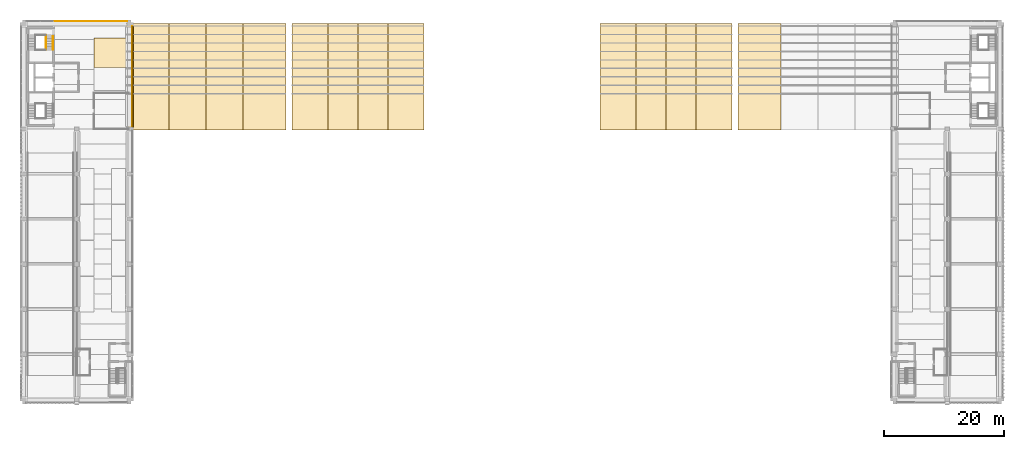
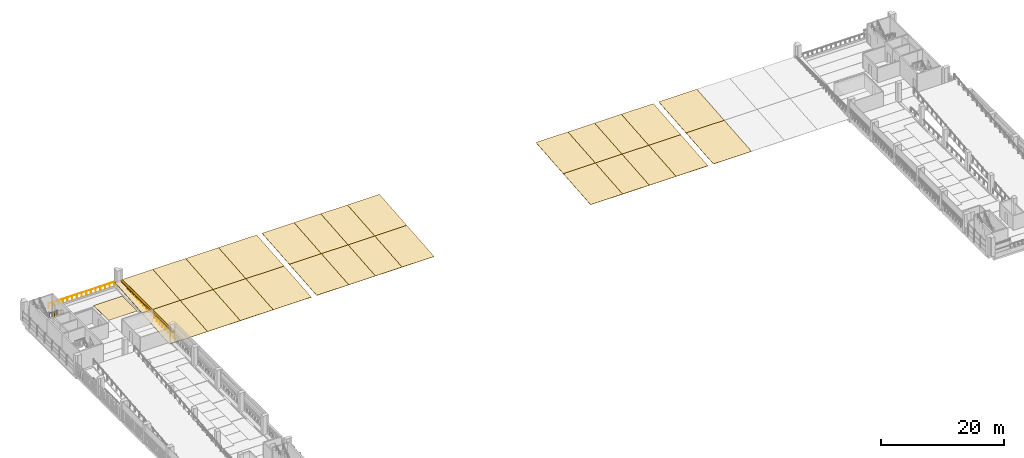
# One storey, part 18 of 24: 27 coverings, 4 railings, 3 shading devices, 4 elements without a shape of their own.
"""IFC4 building model written with IfcOpenShell, lengths in metres."""

from ifc_helpers import new_model, si_unit, direction, frame, origin, origin_2d, place, context, subcontext, project, spatial, polyline, circle, outline, extrude, material, layer, layer_set, type_object, element, aggregate, save


model = new_model("IFC4")

# Units and contexts
model_context = context("Model", 3, precision=1e-05, world=origin(), true_north=direction((0.0, 1.0)))
body_context = subcontext(model_context, "Body", "Model", "MODEL_VIEW")
ifc_project = project(units=[si_unit("LENGTHUNIT", "METRE"), si_unit("AREAUNIT", "SQUARE_METRE"), si_unit("VOLUMEUNIT", "CUBIC_METRE"), si_unit("PLANEANGLEUNIT", "RADIAN"), si_unit("MASSUNIT", "GRAM", prefix="KILO")], contexts=[model_context])

# Site, building, storey
site_placement = place(None, origin())
site = spatial("IfcSite", under=ifc_project, at=site_placement, CompositionType="ELEMENT")
building_placement = place(site_placement, origin())
building = spatial("IfcBuilding", under=site, at=building_placement, Name="Cour d'Honneur Mobility Palace", CompositionType="ELEMENT")
storey_placement = place(building_placement, frame((0.0, 0.0, 26.699951171875)))
storey = spatial("IfcBuildingStorey", under=building, at=storey_placement, Name="L07", CompositionType="ELEMENT", Elevation=26.699951171875)

# Covering
ifc_material_1 = material(Name="Accessible bay marking paint")
ifc_layer_1 = layer(ifc_material_1, 0.0048828125)
ifc_layer_set_1 = layer_set([ifc_layer_1], Name="Accessible bay marking paint")
covering_type_1 = type_object("IfcCoveringType", Name="Accessible parking bay marking", PredefinedType="FLOORING", material=ifc_layer_set_1)
covering_1_placement = place(storey_placement, origin())
element("IfcCovering", 1, at=covering_1_placement, inside=storey, type_object=covering_type_1, Name="Accessible parking bay marking L07 2", PredefinedType="FLOORING", context=body_context, shape_type="SweptSolid", body=[
    extrude(outline(polyline([(11.550048828125, 60.14990234375), (16.949951171875, 60.14990234375), (16.949951171875, 55.25), (11.550048828125, 55.25), (11.550048828125, 60.14990234375)])), origin(), (0.0, 0.0, 1.0), 0.005126953125),
])

# Railings
ifc_material_2 = material(Name="Painted steel", Category="steel")
railing_type_1 = type_object("IfcRailingType", Name="Balustrade", PredefinedType="BALUSTRADE", material=ifc_material_2)
railing_1_placement = place(storey_placement, frame((17.949951171875, 45.300048828125, 0.300048828125)))
element("IfcRailing", 2, at=railing_1_placement, inside=storey, type_object=railing_type_1, Name="Balustrade BAL-372", PredefinedType="BALUSTRADE", context=body_context, shape_type="SweptSolid", body=[
    extrude(circle(Radius=0.02392578125, at=origin_2d()), frame((0.0, 0.0, 0.77587890625), z_axis=(0.0, 1.0, 0.0), x_axis=(-1.0, 0.0, 0.0)), (0.0, 0.0, 1.0), 16.800048828125),
    extrude(circle(Radius=0.02099609375, at=origin_2d()), origin(), (0.0, 0.0, 1.0), 0.751953125),
    extrude(circle(Radius=0.02099609375, at=origin_2d()), frame((0.0, 0.88427734375, 0.0)), (0.0, 0.0, 1.0), 0.751953125),
    extrude(circle(Radius=0.02099609375, at=origin_2d()), frame((0.0, 1.768310546875, 0.0)), (0.0, 0.0, 1.0), 0.751953125),
    extrude(circle(Radius=0.02099609375, at=origin_2d()), frame((0.0, 2.652587890625, 0.0)), (0.0, 0.0, 1.0), 0.751953125),
    extrude(circle(Radius=0.02099609375, at=origin_2d()), frame((0.0, 3.536865234375, 0.0)), (0.0, 0.0, 1.0), 0.751953125),
    extrude(circle(Radius=0.02099609375, at=origin_2d()), frame((0.0, 4.421142578125, 0.0)), (0.0, 0.0, 1.0), 0.751953125),
    extrude(circle(Radius=0.02099609375, at=origin_2d()), frame((0.0, 5.30517578125, 0.0)), (0.0, 0.0, 1.0), 0.751953125),
    extrude(circle(Radius=0.02099609375, at=origin_2d()), frame((0.0, 6.189453125, 0.0)), (0.0, 0.0, 1.0), 0.751953125),
    extrude(circle(Radius=0.02099609375, at=origin_2d()), frame((0.0, 7.07373046875, 0.0)), (0.0, 0.0, 1.0), 0.751953125),
    extrude(circle(Radius=0.02099609375, at=origin_2d()), frame((0.0, 7.9580078125, 0.0)), (0.0, 0.0, 1.0), 0.751953125),
    extrude(circle(Radius=0.02099609375, at=origin_2d()), frame((0.0, 8.842041015625, 0.0)), (0.0, 0.0, 1.0), 0.751953125),
    extrude(circle(Radius=0.02099609375, at=origin_2d()), frame((0.0, 9.726318359375, 0.0)), (0.0, 0.0, 1.0), 0.751953125),
    extrude(circle(Radius=0.02099609375, at=origin_2d()), frame((0.0, 10.610595703125, 0.0)), (0.0, 0.0, 1.0), 0.751953125),
    extrude(circle(Radius=0.02099609375, at=origin_2d()), frame((0.0, 11.494873046875, 0.0)), (0.0, 0.0, 1.0), 0.751953125),
    extrude(circle(Radius=0.02099609375, at=origin_2d()), frame((0.0, 12.37890625, 0.0)), (0.0, 0.0, 1.0), 0.751953125),
    extrude(circle(Radius=0.02099609375, at=origin_2d()), frame((0.0, 13.26318359375, 0.0)), (0.0, 0.0, 1.0), 0.751953125),
    extrude(circle(Radius=0.02099609375, at=origin_2d()), frame((0.0, 14.1474609375, 0.0)), (0.0, 0.0, 1.0), 0.751953125),
    extrude(circle(Radius=0.02099609375, at=origin_2d()), frame((0.0, 15.03173828125, 0.0)), (0.0, 0.0, 1.0), 0.751953125),
    extrude(circle(Radius=0.02099609375, at=origin_2d()), frame((0.0, 15.915771484375, 0.0)), (0.0, 0.0, 1.0), 0.751953125),
    extrude(circle(Radius=0.02099609375, at=origin_2d()), frame((0.0, 16.800048828125, 0.0)), (0.0, 0.0, 1.0), 0.751953125),
])
railing_2_placement = place(storey_placement, frame((17.10009765625, 62.949951171875, 0.300048828125)))
element("IfcRailing", 3, at=railing_2_placement, inside=storey, type_object=railing_type_1, Name="Balustrade BAL-373", PredefinedType="BALUSTRADE", context=body_context, shape_type="SweptSolid", body=[
    extrude(circle(Radius=0.02392578125, at=origin_2d()), frame((0.0, 0.0, 0.77587890625), z_axis=(-1.0, 0.0, 0.0), x_axis=(0.0, -1.0, 0.0)), (0.0, 0.0, 1.0), 12.300048828125),
    extrude(circle(Radius=0.02099609375, at=origin_2d()), origin(), (0.0, 0.0, 1.0), 0.751953125),
    extrude(circle(Radius=0.02099609375, at=origin_2d()), frame((-0.878662109375, 0.0, 0.0)), (0.0, 0.0, 1.0), 0.751953125),
    extrude(circle(Radius=0.02099609375, at=origin_2d()), frame((-1.757080078125, 0.0, 0.0)), (0.0, 0.0, 1.0), 0.751953125),
    extrude(circle(Radius=0.02099609375, at=origin_2d()), frame((-2.6357421875, 0.0, 0.0)), (0.0, 0.0, 1.0), 0.751953125),
    extrude(circle(Radius=0.02099609375, at=origin_2d()), frame((-3.514404296875, 0.0, 0.0)), (0.0, 0.0, 1.0), 0.751953125),
    extrude(circle(Radius=0.02099609375, at=origin_2d()), frame((-4.392822265625, 0.0, 0.0)), (0.0, 0.0, 1.0), 0.751953125),
    extrude(circle(Radius=0.02099609375, at=origin_2d()), frame((-5.271484375, 0.0, 0.0)), (0.0, 0.0, 1.0), 0.751953125),
    extrude(circle(Radius=0.02099609375, at=origin_2d()), frame((-6.14990234375, 0.0, 0.0)), (0.0, 0.0, 1.0), 0.751953125),
    extrude(circle(Radius=0.02099609375, at=origin_2d()), frame((-7.028564453125, 0.0, 0.0)), (0.0, 0.0, 1.0), 0.751953125),
    extrude(circle(Radius=0.02099609375, at=origin_2d()), frame((-7.9072265625, 0.0, 0.0)), (0.0, 0.0, 1.0), 0.751953125),
    extrude(circle(Radius=0.02099609375, at=origin_2d()), frame((-8.78564453125, 0.0, 0.0)), (0.0, 0.0, 1.0), 0.751953125),
    extrude(circle(Radius=0.02099609375, at=origin_2d()), frame((-9.664306640625, 0.0, 0.0)), (0.0, 0.0, 1.0), 0.751953125),
    extrude(circle(Radius=0.02099609375, at=origin_2d()), frame((-10.54296875, 0.0, 0.0)), (0.0, 0.0, 1.0), 0.751953125),
    extrude(circle(Radius=0.02099609375, at=origin_2d()), frame((-11.42138671875, 0.0, 0.0)), (0.0, 0.0, 1.0), 0.751953125),
    extrude(circle(Radius=0.02099609375, at=origin_2d()), frame((-12.300048828125, 0.0, 0.0)), (0.0, 0.0, 1.0), 0.751953125),
])
ifc_material_3 = material(Name="Stainless steel", Category="steel")
railing_type_2 = type_object("IfcRailingType", Name="Handrail round 50", PredefinedType="HANDRAIL", material=ifc_material_3)
railing_3_placement = place(storey_placement, frame((4.75, 60.39990234375, 0.33935546875)))
element("IfcRailing", 4, at=railing_3_placement, inside=storey, type_object=railing_type_2, Name="Handrail ST-CW2", PredefinedType="HANDRAIL", context=body_context, shape_type="SweptSolid", body=[
    extrude(circle(Radius=0.02490234375, at=origin_2d()), frame((0.0, 0.0, 0.89501953125), z_axis=(0.0, -0.824928428624, 0.565237195917), x_axis=(1.0, 0.0, 0.0)), (0.0, 0.0, 1.0), 2.6728515625),
    extrude(circle(Radius=0.02099609375, at=origin_2d()), origin(), (0.0, 0.0, 1.0), 0.869873046875),
    extrude(circle(Radius=0.02099609375, at=origin_2d()), frame((0.0, -0.73486328125, 0.503662109375)), (0.0, 0.0, 1.0), 0.869873046875),
    extrude(circle(Radius=0.02099609375, at=origin_2d()), frame((0.0, -1.469970703125, 1.007080078125)), (0.0, 0.0, 1.0), 0.869873046875),
    extrude(circle(Radius=0.02099609375, at=origin_2d()), frame((0.0, -2.204833984375, 1.5107421875)), (0.0, 0.0, 1.0), 0.869873046875),
])
railing_4_placement = place(storey_placement, frame((3.60009765625, 60.625, 0.18505859375)))
element("IfcRailing", 5, at=railing_4_placement, inside=storey, type_object=railing_type_2, Name="Handrail ST-CW2", PredefinedType="HANDRAIL", context=body_context, shape_type="SweptSolid", body=[
    extrude(circle(Radius=0.02490234375, at=origin_2d()), frame((0.0, 0.0, 0.89501953125), z_axis=(0.0, -0.8249187745, 0.56525128525), x_axis=(1.0, 0.0, 0.0)), (0.0, 0.0, 1.0), 2.945556640625),
    extrude(circle(Radius=0.02099609375, at=origin_2d()), origin(), (0.0, 0.0, 1.0), 0.869873046875),
    extrude(circle(Radius=0.02099609375, at=origin_2d()), frame((0.0, -0.81005859375, 0.554931640625)), (0.0, 0.0, 1.0), 0.869873046875),
    extrude(circle(Radius=0.02099609375, at=origin_2d()), frame((0.0, -1.619873046875, 1.110107421875)), (0.0, 0.0, 1.0), 0.869873046875),
    extrude(circle(Radius=0.02099609375, at=origin_2d()), frame((0.0, -2.429931640625, 1.6650390625)), (0.0, 0.0, 1.0), 0.869873046875),
])

# Roof, coverings
ifc_material_4 = material(Name="Zinc standing seam")
ifc_layer_2 = layer(ifc_material_4, 0.050048828125)
ifc_layer_set_2 = layer_set([ifc_layer_2], Name="Zinc standing seam")
roof_type = type_object("IfcRoofType", Name="Pavilion roof", PredefinedType="SHED_ROOF", material=ifc_layer_set_2)
roof_1_placement = place(storey_placement, origin())
roof_1 = element("IfcRoof", 6, at=roof_1_placement, inside=storey, type_object=roof_type, Name="Pavilion roof FW", PredefinedType="SHED_ROOF")
ifc_material_5 = material(Name="Zinc standing seam")
ifc_layer_3 = layer(ifc_material_5, 0.050048828125)
ifc_layer_set_3 = layer_set([ifc_layer_3], Name="Zinc standing seam")
covering_type_2 = type_object("IfcCoveringType", Name="Pavilion roof panel", PredefinedType="ROOFING", material=ifc_layer_set_3)
covering_2_placement = place(storey_placement, frame((16.89990234375, 44.824951171875, -0.2236328125), z_axis=(0.0, -0.087145193516, 0.996195620974), x_axis=(1.0, 0.0, 0.0)))
covering_2 = element("IfcCovering", 7, at=covering_2_placement, type_object=covering_type_2, Name="Pavilion roof panel FW-1", PredefinedType="ROOFING", context=body_context, shape_type="SweptSolid", body=[
    extrude(outline(polyline([(0.0, 0.0), (7.150146484375, 0.0), (7.150146484375, 8.908892804935228), (0.0, 8.908892804935228), (0.0, 0.0)])), origin(), (0.0, 0.0, -1.0), 0.050048828125),
])
covering_3_placement = place(storey_placement, frame((16.89990234375, 53.699951171875, 0.552734375), z_axis=(0.0, -0.087117997385, 0.996197999663), x_axis=(1.0, 0.0, 0.0)))
covering_3 = element("IfcCovering", 8, at=covering_3_placement, type_object=covering_type_2, Name="Pavilion roof panel FW-2", PredefinedType="ROOFING", context=body_context, shape_type="SweptSolid", body=[
    extrude(outline(polyline([(0.0, 0.0), (7.150146484375, 0.0), (7.150146484375, 8.908871532573054), (0.0, 8.908871532573054), (0.0, 0.0)])), origin(), (0.0, 0.0, -1.0), 0.050048828125),
])
covering_4_placement = place(storey_placement, frame((24.050048828125, 44.824951171875, -0.2236328125), z_axis=(0.0, -0.087145193516, 0.996195620974), x_axis=(1.0, 0.0, 0.0)))
covering_4 = element("IfcCovering", 9, at=covering_4_placement, type_object=covering_type_2, Name="Pavilion roof panel FW-3", PredefinedType="ROOFING", context=body_context, shape_type="SweptSolid", body=[
    extrude(outline(polyline([(0.0, 0.0), (6.14990234375, 0.0), (6.14990234375, 8.908892804935228), (0.0, 8.908892804935228), (0.0, 0.0)])), origin(), (0.0, 0.0, -1.0), 0.050048828125),
])
covering_5_placement = place(storey_placement, frame((24.050048828125, 53.699951171875, 0.552734375), z_axis=(0.0, -0.087117997385, 0.996197999663), x_axis=(1.0, 0.0, 0.0)))
covering_5 = element("IfcCovering", 10, at=covering_5_placement, type_object=covering_type_2, Name="Pavilion roof panel FW-4", PredefinedType="ROOFING", context=body_context, shape_type="SweptSolid", body=[
    extrude(outline(polyline([(0.0, 0.0), (6.14990234375, 0.0), (6.14990234375, 8.908871532573054), (0.0, 8.908871532573054), (0.0, 0.0)])), origin(), (0.0, 0.0, -1.0), 0.050048828125),
])
covering_6_placement = place(storey_placement, frame((30.199951171875, 44.824951171875, -0.2236328125), z_axis=(0.0, -0.087145193516, 0.996195620974), x_axis=(1.0, 0.0, 0.0)))
covering_6 = element("IfcCovering", 11, at=covering_6_placement, type_object=covering_type_2, Name="Pavilion roof panel FW-5", PredefinedType="ROOFING", context=body_context, shape_type="SweptSolid", body=[
    extrude(outline(polyline([(0.0, 0.0), (6.150146484375, 0.0), (6.150146484375, 8.908892804935228), (0.0, 8.908892804935228), (0.0, 0.0)])), origin(), (0.0, 0.0, -1.0), 0.050048828125),
])
covering_7_placement = place(storey_placement, frame((30.199951171875, 53.699951171875, 0.552734375), z_axis=(0.0, -0.087117997385, 0.996197999663), x_axis=(1.0, 0.0, 0.0)))
covering_7 = element("IfcCovering", 12, at=covering_7_placement, type_object=covering_type_2, Name="Pavilion roof panel FW-6", PredefinedType="ROOFING", context=body_context, shape_type="SweptSolid", body=[
    extrude(outline(polyline([(0.0, 0.0), (6.150146484375, 0.0), (6.150146484375, 8.908871532573054), (0.0, 8.908871532573054), (0.0, 0.0)])), origin(), (0.0, 0.0, -1.0), 0.050048828125),
])
covering_8_placement = place(storey_placement, frame((36.35009765625, 44.824951171875, -0.2236328125), z_axis=(0.0, -0.087145193516, 0.996195620974), x_axis=(1.0, 0.0, 0.0)))
covering_8 = element("IfcCovering", 13, at=covering_8_placement, type_object=covering_type_2, Name="Pavilion roof panel FW-7", PredefinedType="ROOFING", context=body_context, shape_type="SweptSolid", body=[
    extrude(outline(polyline([(0.0, 0.0), (7.14990234375, 0.0), (7.14990234375, 8.908892804935228), (0.0, 8.908892804935228), (0.0, 0.0)])), origin(), (0.0, 0.0, -1.0), 0.050048828125),
])
covering_9_placement = place(storey_placement, frame((36.35009765625, 53.699951171875, 0.552734375), z_axis=(0.0, -0.087117997385, 0.996197999663), x_axis=(1.0, 0.0, 0.0)))
covering_9 = element("IfcCovering", 14, at=covering_9_placement, type_object=covering_type_2, Name="Pavilion roof panel FW-8", PredefinedType="ROOFING", context=body_context, shape_type="SweptSolid", body=[
    extrude(outline(polyline([(0.0, 0.0), (7.14990234375, 0.0), (7.14990234375, 8.908871532573054), (0.0, 8.908871532573054), (0.0, 0.0)])), origin(), (0.0, 0.0, -1.0), 0.050048828125),
])
aggregate(roof_1, [covering_2, covering_3, covering_4, covering_5, covering_6, covering_7, covering_8, covering_9])

roof_2_placement = place(storey_placement, origin())
roof_2 = element("IfcRoof", 15, at=roof_2_placement, inside=storey, type_object=roof_type, Name="Pavilion roof PW", PredefinedType="SHED_ROOF")
covering_10_placement = place(storey_placement, frame((44.5, 44.824951171875, -0.2236328125), z_axis=(0.0, -0.087145193516, 0.996195620974), x_axis=(1.0, 0.0, 0.0)))
covering_10 = element("IfcCovering", 16, at=covering_10_placement, type_object=covering_type_2, Name="Pavilion roof panel PW-1", PredefinedType="ROOFING", context=body_context, shape_type="SweptSolid", body=[
    extrude(outline(polyline([(0.0, 0.0), (6.0, 0.0), (6.0, 8.908892804935228), (0.0, 8.908892804935228), (0.0, 0.0)])), origin(), (0.0, 0.0, -1.0), 0.050048828125),
])
covering_11_placement = place(storey_placement, frame((44.5, 53.699951171875, 0.552734375), z_axis=(0.0, -0.087117997385, 0.996197999663), x_axis=(1.0, 0.0, 0.0)))
covering_11 = element("IfcCovering", 17, at=covering_11_placement, type_object=covering_type_2, Name="Pavilion roof panel PW-2", PredefinedType="ROOFING", context=body_context, shape_type="SweptSolid", body=[
    extrude(outline(polyline([(0.0, 0.0), (6.0, 0.0), (6.0, 8.908871532573054), (0.0, 8.908871532573054), (0.0, 0.0)])), origin(), (0.0, 0.0, -1.0), 0.050048828125),
])
covering_12_placement = place(storey_placement, frame((50.5, 44.824951171875, -0.2236328125), z_axis=(0.0, -0.087145193516, 0.996195620974), x_axis=(1.0, 0.0, 0.0)))
covering_12 = element("IfcCovering", 18, at=covering_12_placement, type_object=covering_type_2, Name="Pavilion roof panel PW-3", PredefinedType="ROOFING", context=body_context, shape_type="SweptSolid", body=[
    extrude(outline(polyline([(0.0, 0.0), (5.0, 0.0), (5.0, 8.908892804935228), (0.0, 8.908892804935228), (0.0, 0.0)])), origin(), (0.0, 0.0, -1.0), 0.050048828125),
])
covering_13_placement = place(storey_placement, frame((50.5, 53.699951171875, 0.552734375), z_axis=(0.0, -0.087117997385, 0.996197999663), x_axis=(1.0, 0.0, 0.0)))
covering_13 = element("IfcCovering", 19, at=covering_13_placement, type_object=covering_type_2, Name="Pavilion roof panel PW-4", PredefinedType="ROOFING", context=body_context, shape_type="SweptSolid", body=[
    extrude(outline(polyline([(0.0, 0.0), (5.0, 0.0), (5.0, 8.908871532573052), (0.0, 8.908871532573052), (0.0, 0.0)])), origin(), (0.0, 0.0, -1.0), 0.050048828125),
])
covering_14_placement = place(storey_placement, frame((55.5, 44.824951171875, -0.2236328125), z_axis=(0.0, -0.087145193516, 0.996195620974), x_axis=(1.0, 0.0, 0.0)))
covering_14 = element("IfcCovering", 20, at=covering_14_placement, type_object=covering_type_2, Name="Pavilion roof panel PW-5", PredefinedType="ROOFING", context=body_context, shape_type="SweptSolid", body=[
    extrude(outline(polyline([(0.0, 0.0), (5.0, 0.0), (5.0, 8.908892804935228), (0.0, 8.908892804935228), (0.0, 0.0)])), origin(), (0.0, 0.0, -1.0), 0.050048828125),
])
covering_15_placement = place(storey_placement, frame((55.5, 53.699951171875, 0.552734375), z_axis=(0.0, -0.087117997385, 0.996197999663), x_axis=(1.0, 0.0, 0.0)))
covering_15 = element("IfcCovering", 21, at=covering_15_placement, type_object=covering_type_2, Name="Pavilion roof panel PW-6", PredefinedType="ROOFING", context=body_context, shape_type="SweptSolid", body=[
    extrude(outline(polyline([(0.0, 0.0), (5.0, 0.0), (5.0, 8.908871532573052), (0.0, 8.908871532573052), (0.0, 0.0)])), origin(), (0.0, 0.0, -1.0), 0.050048828125),
])
covering_16_placement = place(storey_placement, frame((60.5, 44.824951171875, -0.2236328125), z_axis=(0.0, -0.087145193516, 0.996195620974), x_axis=(1.0, 0.0, 0.0)))
covering_16 = element("IfcCovering", 22, at=covering_16_placement, type_object=covering_type_2, Name="Pavilion roof panel PW-7", PredefinedType="ROOFING", context=body_context, shape_type="SweptSolid", body=[
    extrude(outline(polyline([(0.0, 0.0), (6.0, 0.0), (6.0, 8.908892804935228), (0.0, 8.908892804935228), (0.0, 0.0)])), origin(), (0.0, 0.0, -1.0), 0.050048828125),
])
covering_17_placement = place(storey_placement, frame((60.5, 53.699951171875, 0.552734375), z_axis=(0.0, -0.087117997385, 0.996197999663), x_axis=(1.0, 0.0, 0.0)))
covering_17 = element("IfcCovering", 23, at=covering_17_placement, type_object=covering_type_2, Name="Pavilion roof panel PW-8", PredefinedType="ROOFING", context=body_context, shape_type="SweptSolid", body=[
    extrude(outline(polyline([(0.0, 0.0), (6.0, 0.0), (6.0, 8.908871532573054), (0.0, 8.908871532573054), (0.0, 0.0)])), origin(), (0.0, 0.0, -1.0), 0.050048828125),
])
aggregate(roof_2, [covering_10, covering_11, covering_12, covering_13, covering_14, covering_15, covering_16, covering_17])

roof_3_placement = place(storey_placement, origin())
roof_3 = element("IfcRoof", 24, at=roof_3_placement, inside=storey, type_object=roof_type, Name="Pavilion roof FE", PredefinedType="SHED_ROOF")
covering_18_placement = place(storey_placement, frame((118.800048828125, 44.824951171875, -0.2236328125), z_axis=(0.0, -0.087145193516, 0.996195620974), x_axis=(1.0, 0.0, 0.0)))
covering_18 = element("IfcCovering", 25, at=covering_18_placement, type_object=covering_type_2, Name="Pavilion roof panel FE-1", PredefinedType="ROOFING", context=body_context, shape_type="SweptSolid", body=[
    extrude(outline(polyline([(0.0, 0.0), (7.14990234375, 0.0), (7.14990234375, 8.908892804935228), (0.0, 8.908892804935228), (0.0, 0.0)])), origin(), (0.0, 0.0, -1.0), 0.050048828125),
])
covering_19_placement = place(storey_placement, frame((118.800048828125, 53.699951171875, 0.552734375), z_axis=(0.0, -0.087117997385, 0.996197999663), x_axis=(1.0, 0.0, 0.0)))
covering_19 = element("IfcCovering", 26, at=covering_19_placement, type_object=covering_type_2, Name="Pavilion roof panel FE-2", PredefinedType="ROOFING", context=body_context, shape_type="SweptSolid", body=[
    extrude(outline(polyline([(0.0, 0.0), (7.14990234375, 0.0), (7.14990234375, 8.908871532573054), (0.0, 8.908871532573054), (0.0, 0.0)])), origin(), (0.0, 0.0, -1.0), 0.050048828125),
])
aggregate(roof_3, [covering_18, covering_19])

roof_4_placement = place(storey_placement, origin())
roof_4 = element("IfcRoof", 27, at=roof_4_placement, inside=storey, type_object=roof_type, Name="Pavilion roof PE", PredefinedType="SHED_ROOF")
covering_20_placement = place(storey_placement, frame((95.800048828125, 44.824951171875, -0.2236328125), z_axis=(0.0, -0.087145193516, 0.996195620974), x_axis=(1.0, 0.0, 0.0)))
covering_20 = element("IfcCovering", 28, at=covering_20_placement, type_object=covering_type_2, Name="Pavilion roof panel PE-1", PredefinedType="ROOFING", context=body_context, shape_type="SweptSolid", body=[
    extrude(outline(polyline([(0.0, 0.0), (6.0, 0.0), (6.0, 8.908892804935228), (0.0, 8.908892804935228), (0.0, 0.0)])), origin(), (0.0, 0.0, -1.0), 0.050048828125),
])
covering_21_placement = place(storey_placement, frame((95.800048828125, 53.699951171875, 0.552734375), z_axis=(0.0, -0.087117997385, 0.996197999663), x_axis=(1.0, 0.0, 0.0)))
covering_21 = element("IfcCovering", 29, at=covering_21_placement, type_object=covering_type_2, Name="Pavilion roof panel PE-2", PredefinedType="ROOFING", context=body_context, shape_type="SweptSolid", body=[
    extrude(outline(polyline([(0.0, 0.0), (6.0, 0.0), (6.0, 8.908871532573054), (0.0, 8.908871532573054), (0.0, 0.0)])), origin(), (0.0, 0.0, -1.0), 0.050048828125),
])
covering_22_placement = place(storey_placement, frame((101.800048828125, 44.824951171875, -0.2236328125), z_axis=(0.0, -0.087145193516, 0.996195620974), x_axis=(1.0, 0.0, 0.0)))
covering_22 = element("IfcCovering", 30, at=covering_22_placement, type_object=covering_type_2, Name="Pavilion roof panel PE-3", PredefinedType="ROOFING", context=body_context, shape_type="SweptSolid", body=[
    extrude(outline(polyline([(0.0, 0.0), (5.0, 0.0), (5.0, 8.908892804935228), (0.0, 8.908892804935228), (0.0, 0.0)])), origin(), (0.0, 0.0, -1.0), 0.050048828125),
])
covering_23_placement = place(storey_placement, frame((101.800048828125, 53.699951171875, 0.552734375), z_axis=(0.0, -0.087117997385, 0.996197999663), x_axis=(1.0, 0.0, 0.0)))
covering_23 = element("IfcCovering", 31, at=covering_23_placement, type_object=covering_type_2, Name="Pavilion roof panel PE-4", PredefinedType="ROOFING", context=body_context, shape_type="SweptSolid", body=[
    extrude(outline(polyline([(0.0, 0.0), (5.0, 0.0), (5.0, 8.908871532573052), (0.0, 8.908871532573052), (0.0, 0.0)])), origin(), (0.0, 0.0, -1.0), 0.050048828125),
])
covering_24_placement = place(storey_placement, frame((106.800048828125, 44.824951171875, -0.2236328125), z_axis=(0.0, -0.087145193516, 0.996195620974), x_axis=(1.0, 0.0, 0.0)))
covering_24 = element("IfcCovering", 32, at=covering_24_placement, type_object=covering_type_2, Name="Pavilion roof panel PE-5", PredefinedType="ROOFING", context=body_context, shape_type="SweptSolid", body=[
    extrude(outline(polyline([(0.0, 0.0), (5.0, 0.0), (5.0, 8.908892804935228), (0.0, 8.908892804935228), (0.0, 0.0)])), origin(), (0.0, 0.0, -1.0), 0.050048828125),
])
covering_25_placement = place(storey_placement, frame((106.800048828125, 53.699951171875, 0.552734375), z_axis=(0.0, -0.087117997385, 0.996197999663), x_axis=(1.0, 0.0, 0.0)))
covering_25 = element("IfcCovering", 33, at=covering_25_placement, type_object=covering_type_2, Name="Pavilion roof panel PE-6", PredefinedType="ROOFING", context=body_context, shape_type="SweptSolid", body=[
    extrude(outline(polyline([(0.0, 0.0), (5.0, 0.0), (5.0, 8.908871532573052), (0.0, 8.908871532573052), (0.0, 0.0)])), origin(), (0.0, 0.0, -1.0), 0.050048828125),
])
covering_26_placement = place(storey_placement, frame((111.800048828125, 44.824951171875, -0.2236328125), z_axis=(0.0, -0.087145193516, 0.996195620974), x_axis=(1.0, 0.0, 0.0)))
covering_26 = element("IfcCovering", 34, at=covering_26_placement, type_object=covering_type_2, Name="Pavilion roof panel PE-7", PredefinedType="ROOFING", context=body_context, shape_type="SweptSolid", body=[
    extrude(outline(polyline([(0.0, 0.0), (6.0, 0.0), (6.0, 8.908892804935228), (0.0, 8.908892804935228), (0.0, 0.0)])), origin(), (0.0, 0.0, -1.0), 0.050048828125),
])
covering_27_placement = place(storey_placement, frame((111.800048828125, 53.699951171875, 0.552734375), z_axis=(0.0, -0.087117997385, 0.996197999663), x_axis=(1.0, 0.0, 0.0)))
covering_27 = element("IfcCovering", 35, at=covering_27_placement, type_object=covering_type_2, Name="Pavilion roof panel PE-8", PredefinedType="ROOFING", context=body_context, shape_type="SweptSolid", body=[
    extrude(outline(polyline([(0.0, 0.0), (6.0, 0.0), (6.0, 8.908871532573054), (0.0, 8.908871532573054), (0.0, 0.0)])), origin(), (0.0, 0.0, -1.0), 0.050048828125),
])
aggregate(roof_4, [covering_20, covering_21, covering_22, covering_23, covering_24, covering_25, covering_26, covering_27])

# Shading devices
ifc_material_6 = material(Name="Terracotta", Category="masonry")
ifc_layer_4 = layer(ifc_material_6, 0.02490234375)
ifc_layer_set_4 = layer_set([ifc_layer_4], Name="Terracotta")
shading_device_type = type_object("IfcShadingDeviceType", Name="Terracotta louvre blade", PredefinedType="JALOUSIE", material=ifc_layer_set_4)
for number, where, z_axis, x_axis, name in (
    (36, (17.843994140625, 45.300048828125, 1.10009765625), (-0.707106781187, 0.0, 0.707106781187), (0.0, 1.0, 0.0), "Louvre blade LV-1 E1.6 L07 1"),
    (37, (17.843994140625, 45.300048828125, 1.312255859375), (-0.707106781187, 0.0, 0.707106781187), (0.0, 1.0, 0.0), "Louvre blade LV-1 E1.6 L07 2"),
):
    element("IfcShadingDevice", number, at=place(storey_placement, frame(where, z_axis=z_axis, x_axis=x_axis)), inside=storey, type_object=shading_device_type, Name=name, PredefinedType="JALOUSIE", context=body_context, shape_type="SweptSolid", body=[
        extrude(outline(polyline([(0.0, 0.0), (16.800048828125, 0.0), (16.800048828125, -0.30003700822808094), (0.0, -0.30003700822808094), (0.0, 0.0)])), origin(), (0.0, 0.0, -1.0), 0.02490234375),
    ])
shading_device_placement = place(storey_placement, frame((17.843994140625, 45.300048828125, 1.5244140625), z_axis=(-0.706699578995, 0.0, 0.707513749017), x_axis=(0.0, 1.0, 0.0)))
element("IfcShadingDevice", 38, at=shading_device_placement, inside=storey, type_object=shading_device_type, Name="Louvre blade LV-1 E1.6 L07 3", PredefinedType="JALOUSIE", context=body_context, shape_type="SweptSolid", body=[
    extrude(outline(polyline([(0.0, 0.0), (16.800048828125, 0.0), (16.800048828125, -0.29986442442957895), (0.0, -0.29986442442957895), (0.0, 0.0)])), origin(), (0.0, 0.0, -1.0), 0.02490234375),
])

save(model, "model.ifc")
